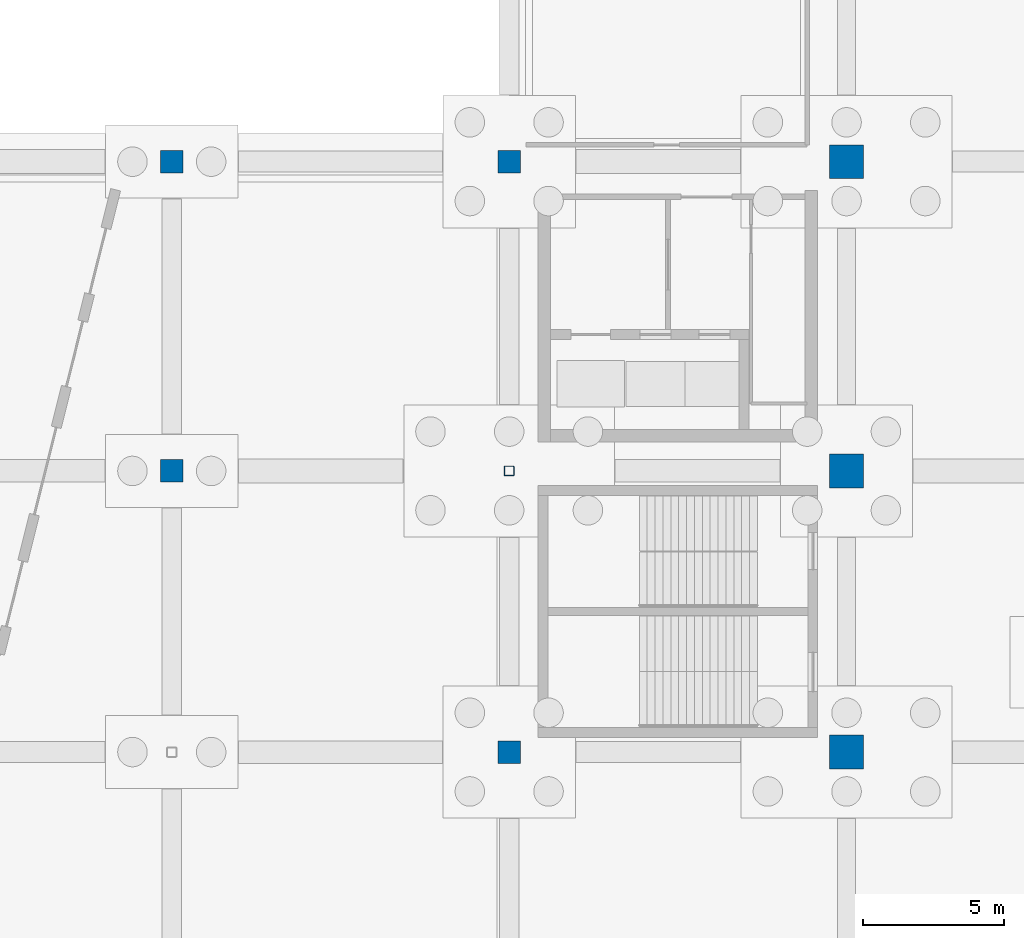
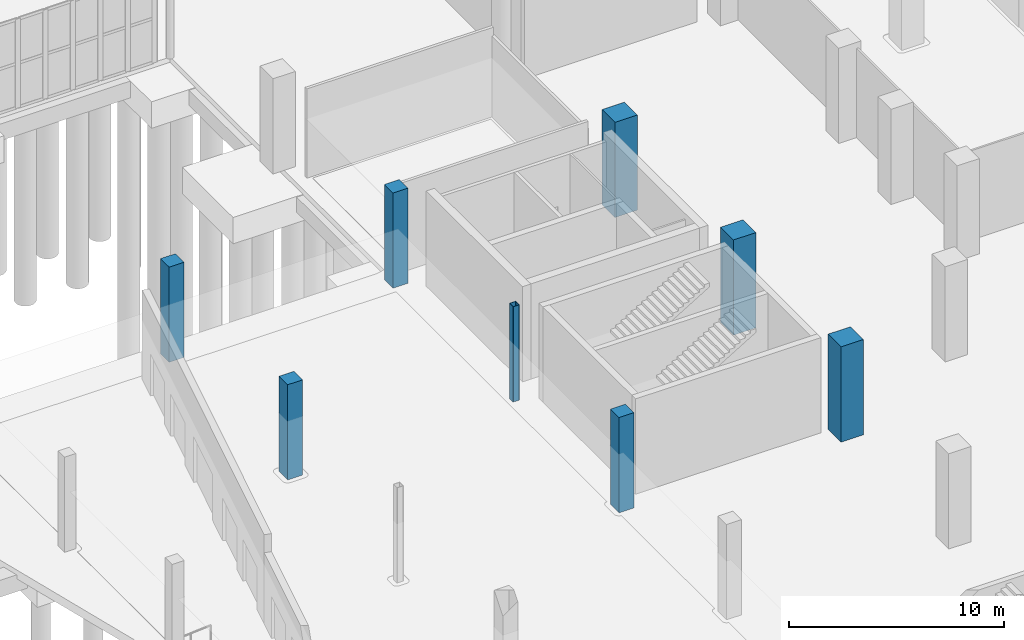
# One storey, part 17 of 70: 8 columns.
"""IFC4 building model written with IfcOpenShell, lengths in metres."""

from ifc_helpers import new_model, si_unit, direction, frame, origin, origin_2d, place, context, subcontext, project, spatial, rectangle, hollow_rectangle, extrude, material, material_profile, profile_set, type_object, element, save


model = new_model("IFC4")

# Units and contexts
model_context = context("Model", 3, precision=1e-05, world=origin(), true_north=direction((0.0, 1.0)))
body_context = subcontext(model_context, "Body", "Model", "MODEL_VIEW")
ifc_project = project(units=[si_unit("LENGTHUNIT", "METRE"), si_unit("AREAUNIT", "SQUARE_METRE"), si_unit("VOLUMEUNIT", "CUBIC_METRE"), si_unit("PLANEANGLEUNIT", "RADIAN"), si_unit("MASSUNIT", "GRAM", prefix="KILO")], contexts=[model_context])

# Site, building, storey
site_placement = place(None, origin())
site = spatial("IfcSite", under=ifc_project, at=site_placement, CompositionType="ELEMENT")
building_placement = place(site_placement, origin())
building = spatial("IfcBuilding", under=site, at=building_placement, Name="Brinegate Civic Arena", CompositionType="ELEMENT")
storey_placement = place(building_placement, origin())
storey = spatial("IfcBuildingStorey", under=building, at=storey_placement, Name="L00", CompositionType="ELEMENT", Elevation=0.0)

# Columns
ifc_material_1 = material(Name="Concrete C50/60", Category="concrete")
ifc_material_profile_1 = material_profile(ifc_material_1, rectangle(XDim=1.199951171875, YDim=1.199951171875, at=origin_2d()), Name="RC1200X1200")
ifc_profile_set_1 = profile_set([ifc_material_profile_1], Name="Concrete C50/60")
column_type_1 = type_object("IfcColumnType", Name="COL-CC01-1200", PredefinedType="COLUMN", material=ifc_profile_set_1)
for number, where, z_axis, x_axis, name in (
    (1, (60.0, 72.0, 0.0), (0.0, 0.0, 1.0), (1.0, 0.0, 0.0), "Column COL-L00-6-H"),
    (2, (60.0, 82.0, 0.0), (0.0, 0.0, 1.0), (1.0, 0.0, 0.0), "Column COL-L00-6-J"),
    (3, (60.0, 93.0, 0.0), (0.0, 0.0, 1.0), (1.0, 0.0, 0.0), "Column COL-L00-6-K"),
):
    element("IfcColumn", number, at=place(storey_placement, frame(where, z_axis=z_axis, x_axis=x_axis)), inside=storey, type_object=column_type_1, Name=name, PredefinedType="COLUMN", context=body_context, shape_type="SweptSolid", body=[
        extrude(rectangle(XDim=1.199951171875, YDim=1.199951171875, at=origin_2d()), origin(), (0.0, 0.0, 1.0), 5.39990234375),
    ])
ifc_material_profile_2 = material_profile(ifc_material_1, rectangle(XDim=0.800048828125, YDim=0.800048828125, at=origin_2d()), Name="RC800X800")
ifc_profile_set_2 = profile_set([ifc_material_profile_2], Name="Concrete C50/60")
column_type_2 = type_object("IfcColumnType", Name="COL-CC07-800", PredefinedType="COLUMN", material=ifc_profile_set_2)
for number, where, z_axis, x_axis, name in (
    (4, (36.0, 82.0, 0.0), (0.0, 0.0, 1.0), (1.0, 0.0, 0.0), "Column COL-L00-4-J"),
    (5, (36.0, 93.0, 0.0), (0.0, 0.0, 1.0), (1.0, 0.0, 0.0), "Column COL-L00-4-K"),
    (6, (48.0, 72.0, 0.0), (0.0, 0.0, 1.0), (1.0, 0.0, 0.0), "Column COL-L00-5-H"),
    (7, (48.0, 93.0, 0.0), (0.0, 0.0, 1.0), (1.0, 0.0, 0.0), "Column COL-L00-5-K"),
):
    element("IfcColumn", number, at=place(storey_placement, frame(where, z_axis=z_axis, x_axis=x_axis)), inside=storey, type_object=column_type_2, Name=name, PredefinedType="COLUMN", context=body_context, shape_type="SweptSolid", body=[
        extrude(rectangle(XDim=0.800048828125, YDim=0.800048828125, at=origin_2d()), origin(), (0.0, 0.0, 1.0), 5.39990234375),
    ])
ifc_material_2 = material(Name="Steel S355", Category="steel")
ifc_material_profile_3 = material_profile(ifc_material_2, hollow_rectangle(XDim=0.35009765625, YDim=0.35009765625, WallThickness=0.01611328125, InnerFilletRadius=0.01611328125, OuterFilletRadius=0.031982421875, at=origin_2d()), Name="SHS350X16")
ifc_profile_set_3 = profile_set([ifc_material_profile_3], Name="Steel S355")
column_type_3 = type_object("IfcColumnType", Name="COL-SC04-SHS350", PredefinedType="COLUMN", material=ifc_profile_set_3)
column_placement = place(storey_placement, frame((48.0, 82.0, 0.0), z_axis=(0.0, 0.0, 1.0), x_axis=(1.0, 0.0, 0.0)))
element("IfcColumn", 8, at=column_placement, inside=storey, type_object=column_type_3, Name="Column COL-L00-5-J", PredefinedType="COLUMN", context=body_context, shape_type="SweptSolid", body=[
    extrude(hollow_rectangle(XDim=0.35009765625, YDim=0.35009765625, WallThickness=0.01611328125, InnerFilletRadius=0.01611328125, OuterFilletRadius=0.031982421875, at=origin_2d()), origin(), (0.0, 0.0, 1.0), 5.39990234375),
])

save(model, "model.ifc")
